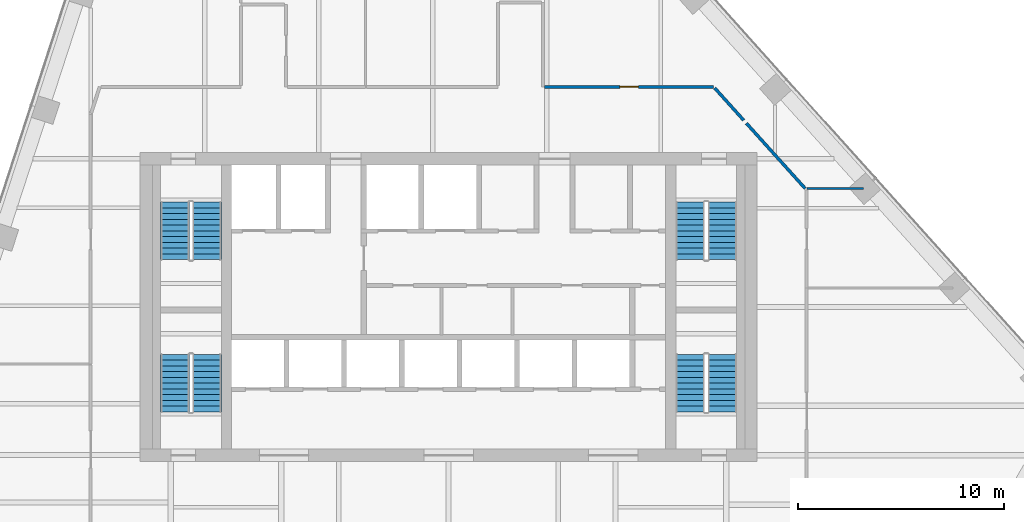
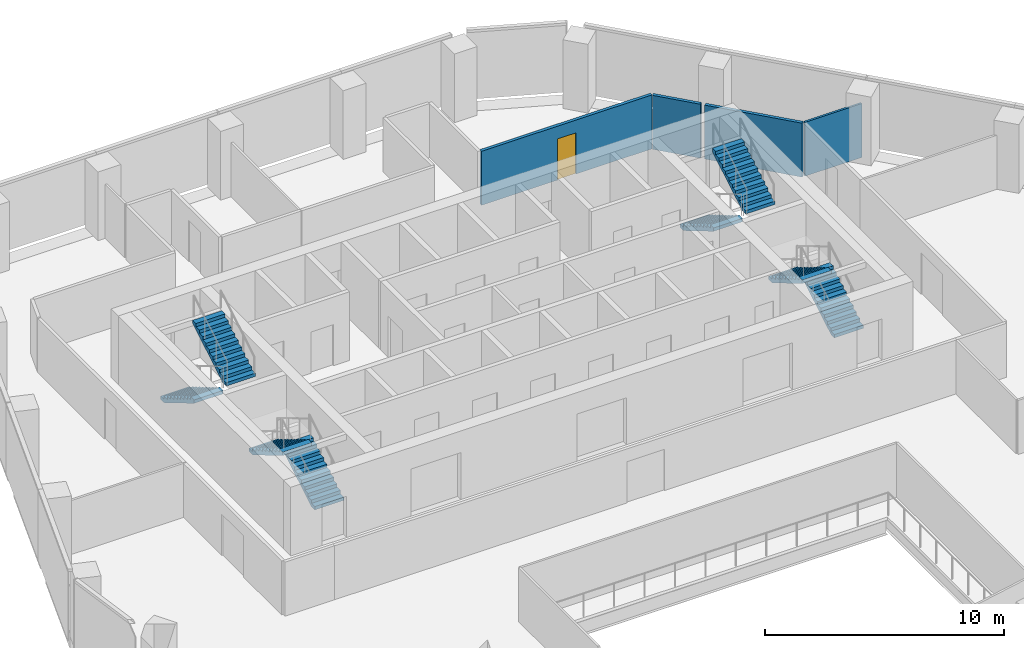
# One storey, part 11 of 15: 8 stair flights, 4 walls, 1 door, 1 opening, 4 elements without a shape of their own.
"""IFC4 building model written with IfcOpenShell, lengths in metres."""

from ifc_helpers import new_model, si_unit, direction, frame, frame_2d, origin, place, context, subcontext, project, spatial, polyline, rectangle, outline, extrude, material, layer, layer_set, type_object, element, fill, aggregate, save


model = new_model("IFC4")

# Units and contexts
model_context = context("Model", 3, precision=1e-05, world=origin(), true_north=direction((0.0, 1.0)))
body_context = subcontext(model_context, "Body", "Model", "MODEL_VIEW")
ifc_project = project(units=[si_unit("LENGTHUNIT", "METRE"), si_unit("AREAUNIT", "SQUARE_METRE"), si_unit("VOLUMEUNIT", "CUBIC_METRE"), si_unit("PLANEANGLEUNIT", "RADIAN"), si_unit("MASSUNIT", "GRAM", prefix="KILO")], contexts=[model_context])

# Site, building, storey
site_placement = place(None, origin())
site = spatial("IfcSite", under=ifc_project, at=site_placement, CompositionType="ELEMENT")
building_placement = place(site_placement, origin())
building = spatial("IfcBuilding", under=site, at=building_placement, Name="Isthmus Gate Tower", CompositionType="ELEMENT")
storey_placement = place(building_placement, frame((0.0, 0.0, 245.5)))
storey = spatial("IfcBuildingStorey", under=building, at=storey_placement, Name="L62", CompositionType="ELEMENT", Elevation=245.5)

# Wall, opening, door
ifc_material_1 = material(Name="Gypsum board on steel studs, fire-rated", Category="steel")
ifc_layer_1 = layer(ifc_material_1, 0.14990234375)
ifc_layer_set_1 = layer_set([ifc_layer_1], Name="CORRIDOR WALL 150 60 MIN")
wall_type_1 = type_object("IfcWallType", Name="CORRIDOR WALL 150 60 MIN", PredefinedType="PARTITIONING", material=ifc_layer_set_1)
wall_1_placement = place(storey_placement, frame((4.675048828125, 18.199951171875, 0.0), z_axis=(0.0, 0.0, 1.0), x_axis=(1.0, 0.0, 0.0)))
wall_1 = element("IfcWall", 1, at=wall_1_placement, inside=storey, type_object=wall_type_1, Name="L62 Corridor Wall 150 60 Min", PredefinedType="PARTITIONING", context=body_context, shape_type="SweptSolid", body=[
    extrude(rectangle(XDim=8.2099609375, YDim=0.14990234375, at=frame_2d((4.10498046875, 0.0))), origin(), (0.0, 0.0, 1.0), 2.750732421875),
])
opening_placement = place(wall_1_placement, frame((3.655029296875, 0.0, 0.0)))
opening = element("IfcOpeningElement", 2, at=opening_placement, cuts=wall_1, Name="Opening DT-T5C-03", PredefinedType="OPENING", context=body_context, shape_type="SweptSolid", body=[
    extrude(rectangle(XDim=0.89990234375, YDim=2.10009765625, at=frame_2d((0.449951171875, 1.050048828125))), frame((0.0, 0.0849609375, 0.0), z_axis=(0.0, -1.0, 0.0), x_axis=(1.0, 0.0, 0.0)), (0.0, 0.0, 1.0), 0.169921875),
])
ifc_material_2 = material(Name="Solid core timber door leaf, fire-rated", Category="wood")
door_type = type_object("IfcDoorType", Name="FIRE DOOR ROOM 900 X 2100 60 MIN", OperationType="SINGLE_SWING_LEFT", PredefinedType="DOOR", material=ifc_material_2)
door_placement = place(opening_placement, origin())
door = element("IfcDoor", 3, at=door_placement, inside=storey, type_object=door_type, Name="L62 room door", OperationType="SINGLE_SWING_RIGHT", OverallHeight=2.10009765625, OverallWidth=0.89990234375, PredefinedType="DOOR", context=body_context, shape_type="SweptSolid", body=[
    extrude(rectangle(XDim=0.89990234375, YDim=2.10009765625, at=frame_2d((0.449951171875, 1.050048828125))), frame((0.0, 0.02490234375, 0.0), z_axis=(0.0, -1.0, 0.0), x_axis=(1.0, 0.0, 0.0)), (0.0, 0.0, 1.0), 0.050048828125),
])
fill(opening, door)

# Walls
wall_2_placement = place(storey_placement, frame((12.935302734375, 18.144287109375, 0.0), z_axis=(0.0, 0.0, 1.0), x_axis=(0.669054213286, -0.743213603, 0.0)))
element("IfcWall", 4, at=wall_2_placement, inside=storey, type_object=wall_type_1, Name="L62 Corridor Wall 150 60 Min", PredefinedType="PARTITIONING", context=body_context, shape_type="SweptSolid", body=[
    extrude(rectangle(XDim=2.1103515625, YDim=0.14990234375, at=frame_2d((1.05517578125, 0.0))), origin(), (0.0, 0.0, 1.0), 2.750732421875),
])
wall_3_placement = place(storey_placement, frame((14.47607421875, 16.432861328125, 0.0), z_axis=(0.0, 0.0, 1.0), x_axis=(0.669119130918, -0.74315515785, 0.0)))
element("IfcWall", 5, at=wall_3_placement, inside=storey, type_object=wall_type_1, Name="L62 Corridor Wall 150 60 Min", PredefinedType="PARTITIONING", context=body_context, shape_type="SweptSolid", body=[
    extrude(rectangle(XDim=4.2802734375, YDim=0.14990234375, at=frame_2d((2.14013671875, 0.0))), origin(), (0.0, 0.0, 1.0), 2.750732421875),
])
ifc_material_3 = material(Name="Gypsum board on steel studs, fire-rated", Category="steel")
ifc_layer_2 = layer(ifc_material_3, 0.10009765625)
ifc_layer_set_2 = layer_set([ifc_layer_2], Name="ROOM PARTITION 100 30 MIN")
wall_type_2 = type_object("IfcWallType", Name="ROOM PARTITION 100 30 MIN", PredefinedType="PARTITIONING", material=ifc_layer_set_2)
wall_4_placement = place(storey_placement, frame((17.423095703125, 13.251953125, 0.0), z_axis=(0.0, 0.0, 1.0), x_axis=(1.0, 0.0, 0.0)))
element("IfcWall", 6, at=wall_4_placement, inside=storey, type_object=wall_type_2, Name="L62 Room Partition 100 30 Min", PredefinedType="PARTITIONING", context=body_context, shape_type="SweptSolid", body=[
    extrude(rectangle(XDim=2.742919921875, YDim=0.10009765625, at=frame_2d((1.37158203125, 0.0))), origin(), (0.0, 0.0, 1.0), 2.750732421875),
])

# Stair, stair flights
ifc_material_4 = material(Name="Concrete f'c 40 MPa", Category="concrete")
stair_type = type_object("IfcStairType", Name="CORE STAIR 22 RISERS", PredefinedType="HALF_TURN_STAIR", material=ifc_material_4)
stair_1_placement = place(storey_placement, origin())
stair_1 = element("IfcStair", 7, at=stair_1_placement, inside=storey, type_object=stair_type, Name="L62 Exit Stair 1", PredefinedType="HALF_TURN_STAIR")
ifc_material_5 = material(Name="Concrete f'c 40 MPa", Category="concrete")
stair_flight_type = type_object("IfcStairFlightType", Name="STAIR FLIGHT RC 1400", PredefinedType="STRAIGHT", material=ifc_material_5)
stair_flight_1_placement = place(storey_placement, frame((-13.300048828125, 12.60009765625, 0.0), z_axis=(0.0, 0.0, 1.0), x_axis=(0.0, -1.0, 0.0)))
stair_flight_1 = element("IfcStairFlight", 8, at=stair_flight_1_placement, type_object=stair_flight_type, Name="ST1 flight 1", NumberOfRisers=11, NumberOfTreads=10, PredefinedType="STRAIGHT", RiserHeight=0.165909091, TreadLength=0.28, context=body_context, shape_type="SweptSolid", body=[
    extrude(outline(polyline([(0.0, 0.0), (0.0, 0.166015625), (0.280029296875, 0.166015625), (0.280029296875, 0.331787109375), (0.56005859375, 0.331787109375), (0.56005859375, 0.497802734375), (0.840087890625, 0.497802734375), (0.840087890625, 0.66357421875), (1.1201171875, 0.66357421875), (1.1201171875, 0.82958984375), (1.39990234375, 0.82958984375), (1.39990234375, 0.995361328125), (1.679931640625, 0.995361328125), (1.679931640625, 1.161376953125), (1.9599609375, 1.161376953125), (1.9599609375, 1.327392578125), (2.239990234375, 1.327392578125), (2.239990234375, 1.4931640625), (2.52001953125, 1.4931640625), (2.52001953125, 1.6591796875), (2.800048828125, 1.6591796875), (2.800048828125, 1.824951171875), (2.800048828125, 1.48486328125), (0.2939453125, 0.0), (0.0, 0.0)])), frame((0.0, 0.699951171875, 0.0), z_axis=(0.0, -1.0, 0.0), x_axis=(1.0, 0.0, 0.0)), (0.0, 0.0, 1.0), 1.39990234375),
])
stair_flight_2_placement = place(storey_placement, frame((-11.75, 9.800048828125, 1.824951171875), z_axis=(0.0, 0.0, 1.0), x_axis=(0.0, 1.0, 0.0)))
stair_flight_2 = element("IfcStairFlight", 9, at=stair_flight_2_placement, type_object=stair_flight_type, Name="ST1 flight 2", NumberOfRisers=11, NumberOfTreads=10, PredefinedType="STRAIGHT", RiserHeight=0.165909091, TreadLength=0.28, context=body_context, shape_type="SweptSolid", body=[
    extrude(outline(polyline([(0.0, 0.0), (0.0, 0.166015625), (0.280029296875, 0.166015625), (0.280029296875, 0.331787109375), (0.56005859375, 0.331787109375), (0.56005859375, 0.497802734375), (0.840087890625, 0.497802734375), (0.840087890625, 0.66357421875), (1.1201171875, 0.66357421875), (1.1201171875, 0.82958984375), (1.39990234375, 0.82958984375), (1.39990234375, 0.995361328125), (1.679931640625, 0.995361328125), (1.679931640625, 1.161376953125), (1.9599609375, 1.161376953125), (1.9599609375, 1.327392578125), (2.239990234375, 1.327392578125), (2.239990234375, 1.4931640625), (2.52001953125, 1.4931640625), (2.52001953125, 1.6591796875), (2.800048828125, 1.6591796875), (2.800048828125, 1.824951171875), (2.800048828125, 1.48486328125), (0.2939453125, 0.0), (0.0, 0.0)])), frame((0.0, 0.699951171875, 0.0), z_axis=(0.0, -1.0, 0.0), x_axis=(1.0, 0.0, 0.0)), (0.0, 0.0, 1.0), 1.39990234375),
])
aggregate(stair_1, [stair_flight_1, stair_flight_2])

stair_2_placement = place(storey_placement, origin())
stair_2 = element("IfcStair", 10, at=stair_2_placement, inside=storey, type_object=stair_type, Name="L62 Exit Stair 2", PredefinedType="HALF_TURN_STAIR")
stair_flight_3_placement = place(storey_placement, frame((11.75, 12.60009765625, 0.0), z_axis=(0.0, 0.0, 1.0), x_axis=(0.0, -1.0, 0.0)))
stair_flight_3 = element("IfcStairFlight", 11, at=stair_flight_3_placement, type_object=stair_flight_type, Name="ST2 flight 1", NumberOfRisers=11, NumberOfTreads=10, PredefinedType="STRAIGHT", RiserHeight=0.165909091, TreadLength=0.28, context=body_context, shape_type="SweptSolid", body=[
    extrude(outline(polyline([(0.0, 0.0), (0.0, 0.166015625), (0.280029296875, 0.166015625), (0.280029296875, 0.331787109375), (0.56005859375, 0.331787109375), (0.56005859375, 0.497802734375), (0.840087890625, 0.497802734375), (0.840087890625, 0.66357421875), (1.1201171875, 0.66357421875), (1.1201171875, 0.82958984375), (1.39990234375, 0.82958984375), (1.39990234375, 0.995361328125), (1.679931640625, 0.995361328125), (1.679931640625, 1.161376953125), (1.9599609375, 1.161376953125), (1.9599609375, 1.327392578125), (2.239990234375, 1.327392578125), (2.239990234375, 1.4931640625), (2.52001953125, 1.4931640625), (2.52001953125, 1.6591796875), (2.800048828125, 1.6591796875), (2.800048828125, 1.824951171875), (2.800048828125, 1.48486328125), (0.2939453125, 0.0), (0.0, 0.0)])), frame((0.0, 0.699951171875, 0.0), z_axis=(0.0, -1.0, 0.0), x_axis=(1.0, 0.0, 0.0)), (0.0, 0.0, 1.0), 1.39990234375),
])
stair_flight_4_placement = place(storey_placement, frame((13.300048828125, 9.800048828125, 1.824951171875), z_axis=(0.0, 0.0, 1.0), x_axis=(0.0, 1.0, 0.0)))
stair_flight_4 = element("IfcStairFlight", 12, at=stair_flight_4_placement, type_object=stair_flight_type, Name="ST2 flight 2", NumberOfRisers=11, NumberOfTreads=10, PredefinedType="STRAIGHT", RiserHeight=0.165909091, TreadLength=0.28, context=body_context, shape_type="SweptSolid", body=[
    extrude(outline(polyline([(0.0, 0.0), (0.0, 0.166015625), (0.280029296875, 0.166015625), (0.280029296875, 0.331787109375), (0.56005859375, 0.331787109375), (0.56005859375, 0.497802734375), (0.840087890625, 0.497802734375), (0.840087890625, 0.66357421875), (1.1201171875, 0.66357421875), (1.1201171875, 0.82958984375), (1.39990234375, 0.82958984375), (1.39990234375, 0.995361328125), (1.679931640625, 0.995361328125), (1.679931640625, 1.161376953125), (1.9599609375, 1.161376953125), (1.9599609375, 1.327392578125), (2.239990234375, 1.327392578125), (2.239990234375, 1.4931640625), (2.52001953125, 1.4931640625), (2.52001953125, 1.6591796875), (2.800048828125, 1.6591796875), (2.800048828125, 1.824951171875), (2.800048828125, 1.48486328125), (0.2939453125, 0.0), (0.0, 0.0)])), frame((0.0, 0.699951171875, 0.0), z_axis=(0.0, -1.0, 0.0), x_axis=(1.0, 0.0, 0.0)), (0.0, 0.0, 1.0), 1.39990234375),
])
aggregate(stair_2, [stair_flight_3, stair_flight_4])

stair_3_placement = place(storey_placement, origin())
stair_3 = element("IfcStair", 13, at=stair_3_placement, inside=storey, type_object=stair_type, Name="L62 Exit Stair 7", PredefinedType="HALF_TURN_STAIR")
stair_flight_5_placement = place(storey_placement, frame((-11.75, 2.39990234375, 0.0), z_axis=(0.0, 0.0, 1.0), x_axis=(0.0, 1.0, 0.0)))
stair_flight_5 = element("IfcStairFlight", 14, at=stair_flight_5_placement, type_object=stair_flight_type, Name="ST7 flight 1", NumberOfRisers=11, NumberOfTreads=10, PredefinedType="STRAIGHT", RiserHeight=0.165909091, TreadLength=0.28, context=body_context, shape_type="SweptSolid", body=[
    extrude(outline(polyline([(0.0, 0.0), (0.0, 0.166015625), (0.280029296875, 0.166015625), (0.280029296875, 0.331787109375), (0.56005859375, 0.331787109375), (0.56005859375, 0.497802734375), (0.840087890625, 0.497802734375), (0.840087890625, 0.66357421875), (1.1201171875, 0.66357421875), (1.1201171875, 0.82958984375), (1.39990234375, 0.82958984375), (1.39990234375, 0.995361328125), (1.679931640625, 0.995361328125), (1.679931640625, 1.161376953125), (1.9599609375, 1.161376953125), (1.9599609375, 1.327392578125), (2.239990234375, 1.327392578125), (2.239990234375, 1.4931640625), (2.52001953125, 1.4931640625), (2.52001953125, 1.6591796875), (2.800048828125, 1.6591796875), (2.800048828125, 1.824951171875), (2.800048828125, 1.48486328125), (0.2939453125, 0.0), (0.0, 0.0)])), frame((0.0, 0.699951171875, 0.0), z_axis=(0.0, -1.0, 0.0), x_axis=(1.0, 0.0, 0.0)), (0.0, 0.0, 1.0), 1.39990234375),
])
stair_flight_6_placement = place(storey_placement, frame((-13.300048828125, 5.199951171875, 1.824951171875), z_axis=(0.0, 0.0, 1.0), x_axis=(0.0, -1.0, 0.0)))
stair_flight_6 = element("IfcStairFlight", 15, at=stair_flight_6_placement, type_object=stair_flight_type, Name="ST7 flight 2", NumberOfRisers=11, NumberOfTreads=10, PredefinedType="STRAIGHT", RiserHeight=0.165909091, TreadLength=0.28, context=body_context, shape_type="SweptSolid", body=[
    extrude(outline(polyline([(0.0, 0.0), (0.0, 0.166015625), (0.280029296875, 0.166015625), (0.280029296875, 0.331787109375), (0.56005859375, 0.331787109375), (0.56005859375, 0.497802734375), (0.840087890625, 0.497802734375), (0.840087890625, 0.66357421875), (1.1201171875, 0.66357421875), (1.1201171875, 0.82958984375), (1.39990234375, 0.82958984375), (1.39990234375, 0.995361328125), (1.679931640625, 0.995361328125), (1.679931640625, 1.161376953125), (1.9599609375, 1.161376953125), (1.9599609375, 1.327392578125), (2.239990234375, 1.327392578125), (2.239990234375, 1.4931640625), (2.52001953125, 1.4931640625), (2.52001953125, 1.6591796875), (2.800048828125, 1.6591796875), (2.800048828125, 1.824951171875), (2.800048828125, 1.48486328125), (0.2939453125, 0.0), (0.0, 0.0)])), frame((0.0, 0.699951171875, 0.0), z_axis=(0.0, -1.0, 0.0), x_axis=(1.0, 0.0, 0.0)), (0.0, 0.0, 1.0), 1.39990234375),
])
aggregate(stair_3, [stair_flight_5, stair_flight_6])

stair_4_placement = place(storey_placement, origin())
stair_4 = element("IfcStair", 16, at=stair_4_placement, inside=storey, type_object=stair_type, Name="L62 Exit Stair 8", PredefinedType="HALF_TURN_STAIR")
stair_flight_7_placement = place(storey_placement, frame((13.300048828125, 2.39990234375, 0.0), z_axis=(0.0, 0.0, 1.0), x_axis=(0.0, 1.0, 0.0)))
stair_flight_7 = element("IfcStairFlight", 17, at=stair_flight_7_placement, type_object=stair_flight_type, Name="ST8 flight 1", NumberOfRisers=11, NumberOfTreads=10, PredefinedType="STRAIGHT", RiserHeight=0.165909091, TreadLength=0.28, context=body_context, shape_type="SweptSolid", body=[
    extrude(outline(polyline([(0.0, 0.0), (0.0, 0.166015625), (0.280029296875, 0.166015625), (0.280029296875, 0.331787109375), (0.56005859375, 0.331787109375), (0.56005859375, 0.497802734375), (0.840087890625, 0.497802734375), (0.840087890625, 0.66357421875), (1.1201171875, 0.66357421875), (1.1201171875, 0.82958984375), (1.39990234375, 0.82958984375), (1.39990234375, 0.995361328125), (1.679931640625, 0.995361328125), (1.679931640625, 1.161376953125), (1.9599609375, 1.161376953125), (1.9599609375, 1.327392578125), (2.239990234375, 1.327392578125), (2.239990234375, 1.4931640625), (2.52001953125, 1.4931640625), (2.52001953125, 1.6591796875), (2.800048828125, 1.6591796875), (2.800048828125, 1.824951171875), (2.800048828125, 1.48486328125), (0.2939453125, 0.0), (0.0, 0.0)])), frame((0.0, 0.699951171875, 0.0), z_axis=(0.0, -1.0, 0.0), x_axis=(1.0, 0.0, 0.0)), (0.0, 0.0, 1.0), 1.39990234375),
])
stair_flight_8_placement = place(storey_placement, frame((11.75, 5.199951171875, 1.824951171875), z_axis=(0.0, 0.0, 1.0), x_axis=(0.0, -1.0, 0.0)))
stair_flight_8 = element("IfcStairFlight", 18, at=stair_flight_8_placement, type_object=stair_flight_type, Name="ST8 flight 2", NumberOfRisers=11, NumberOfTreads=10, PredefinedType="STRAIGHT", RiserHeight=0.165909091, TreadLength=0.28, context=body_context, shape_type="SweptSolid", body=[
    extrude(outline(polyline([(0.0, 0.0), (0.0, 0.166015625), (0.280029296875, 0.166015625), (0.280029296875, 0.331787109375), (0.56005859375, 0.331787109375), (0.56005859375, 0.497802734375), (0.840087890625, 0.497802734375), (0.840087890625, 0.66357421875), (1.1201171875, 0.66357421875), (1.1201171875, 0.82958984375), (1.39990234375, 0.82958984375), (1.39990234375, 0.995361328125), (1.679931640625, 0.995361328125), (1.679931640625, 1.161376953125), (1.9599609375, 1.161376953125), (1.9599609375, 1.327392578125), (2.239990234375, 1.327392578125), (2.239990234375, 1.4931640625), (2.52001953125, 1.4931640625), (2.52001953125, 1.6591796875), (2.800048828125, 1.6591796875), (2.800048828125, 1.824951171875), (2.800048828125, 1.48486328125), (0.2939453125, 0.0), (0.0, 0.0)])), frame((0.0, 0.699951171875, 0.0), z_axis=(0.0, -1.0, 0.0), x_axis=(1.0, 0.0, 0.0)), (0.0, 0.0, 1.0), 1.39990234375),
])
aggregate(stair_4, [stair_flight_7, stair_flight_8])

save(model, "model.ifc")
